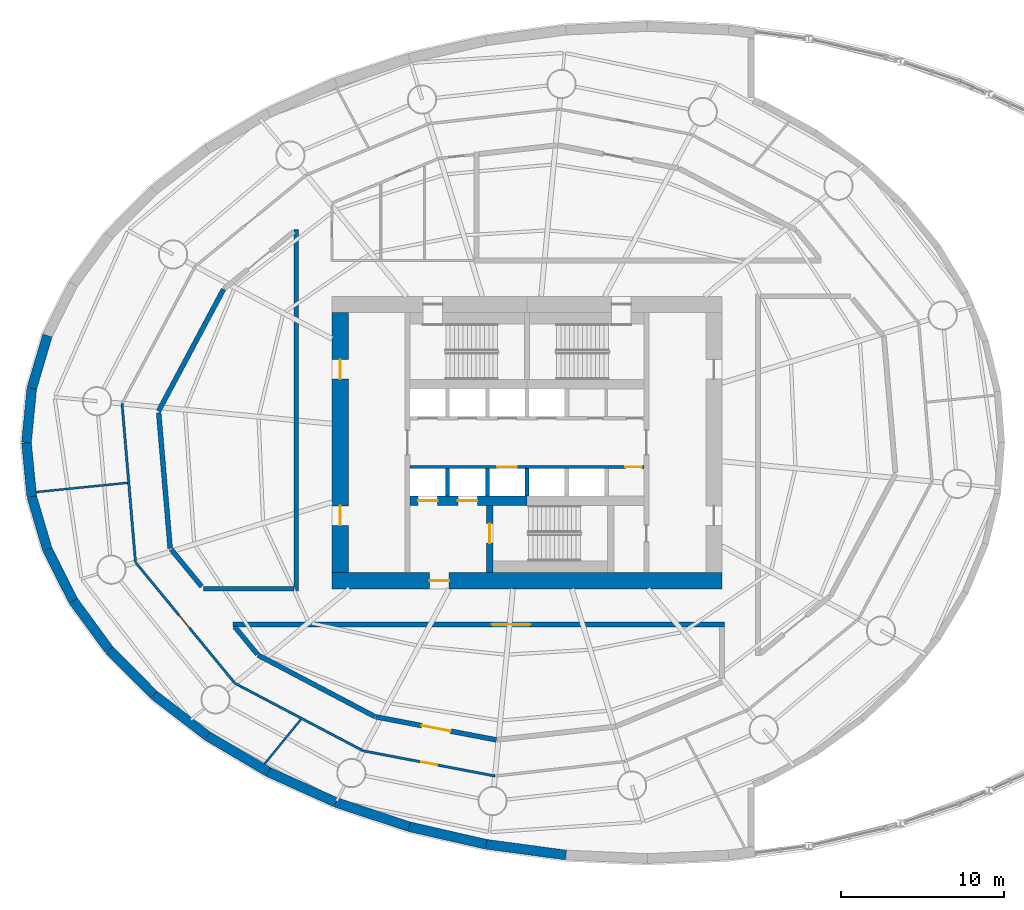
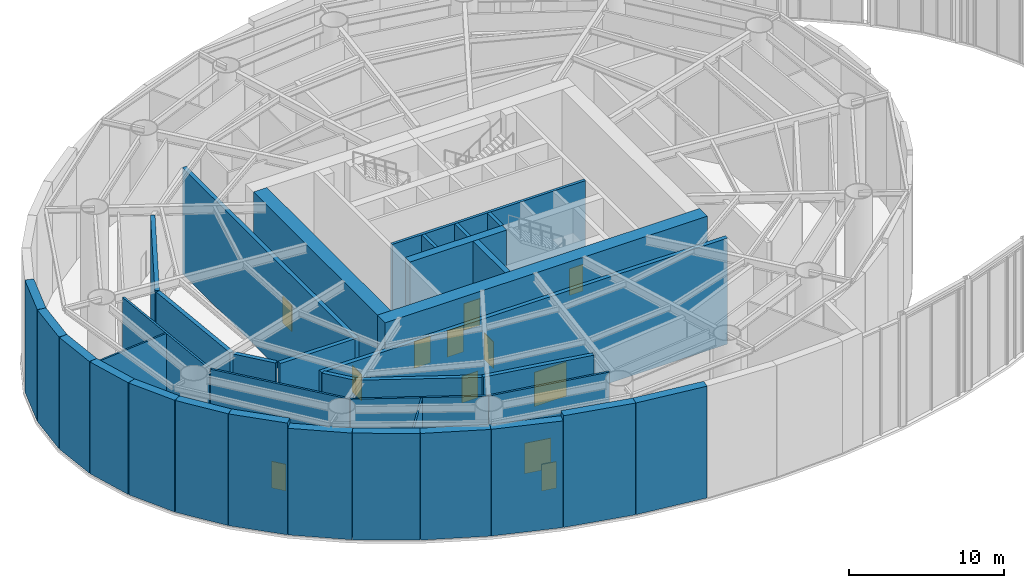
# One storey, part 14 of 19: 36 walls, 12 doors, 12 openings.
"""IFC4 building model written with IfcOpenShell, lengths in metres."""

from ifc_helpers import new_model, si_unit, direction, frame, frame_2d, origin, place, context, subcontext, project, spatial, rectangle, extrude, material, layer, layer_set, type_object, element, fill, save


model = new_model("IFC4")

# Units and contexts
model_context = context("Model", 3, precision=1e-05, world=origin(), true_north=direction((0.0, 1.0)))
body_context = subcontext(model_context, "Body", "Model", "MODEL_VIEW")
ifc_project = project(units=[si_unit("LENGTHUNIT", "METRE"), si_unit("AREAUNIT", "SQUARE_METRE"), si_unit("VOLUMEUNIT", "CUBIC_METRE"), si_unit("PLANEANGLEUNIT", "RADIAN"), si_unit("MASSUNIT", "GRAM", prefix="KILO")], contexts=[model_context])

# Site, building, storey
site_placement = place(None, origin())
site = spatial("IfcSite", under=ifc_project, at=site_placement, CompositionType="ELEMENT")
building_placement = place(site_placement, origin())
building = spatial("IfcBuilding", under=site, at=building_placement, Name="Vermilion Reach Broadcast Tower", CompositionType="ELEMENT")
storey_placement = place(building_placement, frame((0.0, 0.0, 17.0)))
storey = spatial("IfcBuildingStorey", under=building, at=storey_placement, Name="L02", CompositionType="ELEMENT", Elevation=17.0)

# Wall, opening, door
ifc_material_1 = material(Name="Concrete C70", Category="concrete")
ifc_layer_1 = layer(ifc_material_1, 0.39990234375)
ifc_layer_set_1 = layer_set([ifc_layer_1], Name="Core inner wall 400 mm Concrete C70")
wall_type_1 = type_object("IfcWallType", Name="Core inner wall 400 mm Concrete C70", PredefinedType="SHEAR", material=ifc_layer_set_1)
wall_1_placement = place(storey_placement, frame((-8.300048828125, -3.8798828125, 0.0), z_axis=(0.0, 0.0, 1.0), x_axis=(0.0, -1.0, 0.0)))
wall_1 = element("IfcWall", 1, at=wall_1_placement, inside=storey, type_object=wall_type_1, Name="L02 core wall wa", PredefinedType="SHEAR", context=body_context, shape_type="SweptSolid", body=[
    extrude(rectangle(XDim=4.1201171875, YDim=0.39990234375, at=frame_2d((2.06005859375, 0.0))), origin(), (0.0, 0.0, 1.0), 8.699951171875),
])
opening_1_placement = place(wall_1_placement, frame((1.110107421875, 0.0, 0.0)))
opening_1 = element("IfcOpeningElement", 2, at=opening_1_placement, cuts=wall_1, Name="Opening D01", PredefinedType="OPENING", context=body_context, shape_type="SweptSolid", body=[
    extrude(rectangle(XDim=1.199951171875, YDim=2.10009765625, at=frame_2d((0.60009765625, 1.050048828125))), frame((0.0, 0.2099609375, 0.0), z_axis=(0.0, -1.0, 0.0), x_axis=(1.0, 0.0, 0.0)), (0.0, 0.0, 1.0), 0.419921875),
])
ifc_material_2 = material(Name="Painted steel fire door", Category="steel")
door_type_1 = type_object("IfcDoorType", Name="Stair door 1200 x 2100", OperationType="DOUBLE_DOOR_SINGLE_SWING", PredefinedType="NOTDEFINED", material=ifc_material_2)
door_1_placement = place(opening_1_placement, origin())
door_1 = element("IfcDoor", 3, at=door_1_placement, inside=storey, type_object=door_type_1, Name="L02 stair door ST3", OperationType="DOUBLE_DOOR_SINGLE_SWING", OverallHeight=2.10009765625, OverallWidth=1.199951171875, PredefinedType="NOTDEFINED", context=body_context, shape_type="SweptSolid", body=[
    extrude(rectangle(XDim=1.199951171875, YDim=2.10009765625, at=frame_2d((0.60009765625, 1.050048828125))), frame((0.0, 0.02490234375, 0.0), z_axis=(0.0, -1.0, 0.0), x_axis=(1.0, 0.0, 0.0)), (0.0, 0.0, 1.0), 0.050048828125),
])
fill(opening_1, door_1)

# Wall, openings, doors
ifc_material_3 = material(Name="Concrete C70", Category="concrete")
ifc_layer_2 = layer(ifc_material_3, 0.60009765625)
ifc_layer_set_2 = layer_set([ifc_layer_2], Name="Core inner wall 600 mm Concrete C70")
wall_type_2 = type_object("IfcWallType", Name="Core inner wall 600 mm Concrete C70", PredefinedType="SHEAR", material=ifc_layer_set_2)
wall_2_placement = place(storey_placement, frame((-13.199951171875, -3.580078125, 0.0), z_axis=(0.0, 0.0, 1.0), x_axis=(1.0, 0.0, 0.0)))
wall_2 = element("IfcWall", 4, at=wall_2_placement, inside=storey, type_object=wall_type_2, Name="L02 core wall wisW", PredefinedType="SHEAR", context=body_context, shape_type="SweptSolid", body=[
    extrude(rectangle(XDim=7.199951171875, YDim=0.60009765625, at=frame_2d((3.60009765625, 0.0))), origin(), (0.0, 0.0, 1.0), 8.699951171875),
])
opening_2_placement = place(wall_2_placement, frame((0.495849609375, 0.0, 0.0)))
opening_2 = element("IfcOpeningElement", 5, at=opening_2_placement, cuts=wall_2, Name="Opening LD1", PredefinedType="OPENING", context=body_context, shape_type="SweptSolid", body=[
    extrude(rectangle(XDim=1.199951171875, YDim=2.10009765625, at=frame_2d((0.60009765625, 1.050048828125))), frame((0.0, 0.31005859375, 0.0), z_axis=(0.0, -1.0, 0.0), x_axis=(1.0, 0.0, 0.0)), (0.0, 0.0, 1.0), 0.6201171875),
])
opening_3_placement = place(wall_2_placement, frame((2.9375, 0.0, 0.0)))
opening_3 = element("IfcOpeningElement", 6, at=opening_3_placement, cuts=wall_2, Name="Opening LD1", PredefinedType="OPENING", context=body_context, shape_type="SweptSolid", body=[
    extrude(rectangle(XDim=1.199951171875, YDim=2.10009765625, at=frame_2d((0.60009765625, 1.050048828125))), frame((0.0, 0.31005859375, 0.0), z_axis=(0.0, -1.0, 0.0), x_axis=(1.0, 0.0, 0.0)), (0.0, 0.0, 1.0), 0.6201171875),
])
ifc_material_4 = material(Name="Stainless steel", Category="steel")
door_type_2 = type_object("IfcDoorType", Name="Landing door 1200 x 2100", OperationType="DOUBLE_DOOR_SLIDING", PredefinedType="NOTDEFINED", material=ifc_material_4)
door_2_placement = place(opening_2_placement, origin())
door_2 = element("IfcDoor", 7, at=door_2_placement, inside=storey, type_object=door_type_2, Name="L02 landing door FF1", OperationType="DOUBLE_DOOR_SLIDING", OverallHeight=2.10009765625, OverallWidth=1.199951171875, PredefinedType="NOTDEFINED", context=body_context, shape_type="SweptSolid", body=[
    extrude(rectangle(XDim=1.199951171875, YDim=2.10009765625, at=frame_2d((0.60009765625, 1.050048828125))), frame((0.0, 0.02490234375, 0.0), z_axis=(0.0, -1.0, 0.0), x_axis=(1.0, 0.0, 0.0)), (0.0, 0.0, 1.0), 0.050048828125),
])
fill(opening_2, door_2)
door_3_placement = place(opening_3_placement, origin())
door_3 = element("IfcDoor", 8, at=door_3_placement, inside=storey, type_object=door_type_2, Name="L02 landing door FF2", OperationType="DOUBLE_DOOR_SLIDING", OverallHeight=2.10009765625, OverallWidth=1.199951171875, PredefinedType="NOTDEFINED", context=body_context, shape_type="SweptSolid", body=[
    extrude(rectangle(XDim=1.199951171875, YDim=2.10009765625, at=frame_2d((0.60009765625, 1.050048828125))), frame((0.0, 0.02490234375, 0.0), z_axis=(0.0, -1.0, 0.0), x_axis=(1.0, 0.0, 0.0)), (0.0, 0.0, 1.0), 0.050048828125),
])
fill(opening_3, door_3)

# Wall, opening, door
ifc_material_5 = material(Name="Concrete C70", Category="concrete")
ifc_layer_3 = layer(ifc_material_5, 1.0)
ifc_layer_set_3 = layer_set([ifc_layer_3], Name="Core outer wall 1000 mm Concrete C70")
wall_type_3 = type_object("IfcWallType", Name="Core outer wall 1000 mm Concrete C70", PredefinedType="SHEAR", material=ifc_layer_set_3)
wall_3_placement = place(storey_placement, frame((-18.0, -8.5, 0.0), z_axis=(0.0, 0.0, 1.0), x_axis=(1.0, 0.0, 0.0)))
wall_3 = element("IfcWall", 9, at=wall_3_placement, inside=storey, type_object=wall_type_3, Name="L02 core wall os", PredefinedType="SHEAR", context=body_context, shape_type="SweptSolid", body=[
    extrude(rectangle(XDim=24.0, YDim=1.0, at=frame_2d((12.0, 0.0))), origin(), (0.0, 0.0, 1.0), 8.699951171875),
])
opening_4_placement = place(wall_3_placement, frame((6.0, 0.0, 0.0)))
opening_4 = element("IfcOpeningElement", 10, at=opening_4_placement, cuts=wall_3, Name="Opening D02", PredefinedType="OPENING", context=body_context, shape_type="SweptSolid", body=[
    extrude(rectangle(XDim=1.199951171875, YDim=2.10009765625, at=frame_2d((0.60009765625, 1.050048828125))), frame((0.0, 0.510009765625, 0.0), z_axis=(0.0, -1.0, 0.0), x_axis=(1.0, 0.0, 0.0)), (0.0, 0.0, 1.0), 1.02001953125),
])
ifc_material_6 = material(Name="Painted steel fire door", Category="steel")
door_type_3 = type_object("IfcDoorType", Name="Firefighting lobby door 1200 x 2100", OperationType="DOUBLE_DOOR_SINGLE_SWING", PredefinedType="NOTDEFINED", material=ifc_material_6)
door_4_placement = place(opening_4_placement, origin())
door_4 = element("IfcDoor", 11, at=door_4_placement, inside=storey, type_object=door_type_3, Name="L02 ffdoor door FFL", OperationType="DOUBLE_DOOR_SINGLE_SWING", OverallHeight=2.10009765625, OverallWidth=1.199951171875, PredefinedType="NOTDEFINED", context=body_context, shape_type="SweptSolid", body=[
    extrude(rectangle(XDim=1.199951171875, YDim=2.10009765625, at=frame_2d((0.60009765625, 1.050048828125))), frame((0.0, 0.02490234375, 0.0), z_axis=(0.0, -1.0, 0.0), x_axis=(1.0, 0.0, 0.0)), (0.0, 0.0, 1.0), 0.050048828125),
])
fill(opening_4, door_4)

# Wall, openings, doors
wall_4_placement = place(storey_placement, frame((-17.5, 8.0, 0.0), z_axis=(0.0, 0.0, 1.0), x_axis=(0.0, -1.0, 0.0)))
wall_4 = element("IfcWall", 12, at=wall_4_placement, inside=storey, type_object=wall_type_3, Name="L02 core wall ow", PredefinedType="SHEAR", context=body_context, shape_type="SweptSolid", body=[
    extrude(rectangle(XDim=16.0, YDim=1.0, at=frame_2d((8.0, 0.0))), origin(), (0.0, 0.0, 1.0), 8.699951171875),
])
opening_5_placement = place(wall_4_placement, frame((11.89990234375, 0.0, 0.0)))
opening_5 = element("IfcOpeningElement", 13, at=opening_5_placement, cuts=wall_4, Name="Opening D03", PredefinedType="OPENING", context=body_context, shape_type="SweptSolid", body=[
    extrude(rectangle(XDim=1.199951171875, YDim=2.10009765625, at=frame_2d((0.60009765625, 1.050048828125))), frame((0.0, 0.510009765625, 0.0), z_axis=(0.0, -1.0, 0.0), x_axis=(1.0, 0.0, 0.0)), (0.0, 0.0, 1.0), 1.02001953125),
])
opening_6_placement = place(wall_4_placement, frame((2.89990234375, 0.0, 0.0)))
opening_6 = element("IfcOpeningElement", 14, at=opening_6_placement, cuts=wall_4, Name="Opening D03", PredefinedType="OPENING", context=body_context, shape_type="SweptSolid", body=[
    extrude(rectangle(XDim=1.199951171875, YDim=2.10009765625, at=frame_2d((0.60009765625, 1.050048828125))), frame((0.0, 0.510009765625, 0.0), z_axis=(0.0, -1.0, 0.0), x_axis=(1.0, 0.0, 0.0)), (0.0, 0.0, 1.0), 1.02001953125),
])
ifc_material_7 = material(Name="Painted steel fire door", Category="steel")
door_type_4 = type_object("IfcDoorType", Name="Core lobby door 1200 x 2100", OperationType="DOUBLE_DOOR_SINGLE_SWING", PredefinedType="NOTDEFINED", material=ifc_material_7)
door_5_placement = place(opening_5_placement, origin())
door_5 = element("IfcDoor", 15, at=door_5_placement, inside=storey, type_object=door_type_4, Name="L02 slot door W0", OperationType="DOUBLE_DOOR_SINGLE_SWING", OverallHeight=2.10009765625, OverallWidth=1.199951171875, PredefinedType="NOTDEFINED", context=body_context, shape_type="SweptSolid", body=[
    extrude(rectangle(XDim=1.199951171875, YDim=2.10009765625, at=frame_2d((0.60009765625, 1.050048828125))), frame((0.0, 0.02490234375, 0.0), z_axis=(0.0, -1.0, 0.0), x_axis=(1.0, 0.0, 0.0)), (0.0, 0.0, 1.0), 0.050048828125),
])
fill(opening_5, door_5)
door_6_placement = place(opening_6_placement, origin())
door_6 = element("IfcDoor", 16, at=door_6_placement, inside=storey, type_object=door_type_4, Name="L02 slot door W1", OperationType="DOUBLE_DOOR_SINGLE_SWING", OverallHeight=2.10009765625, OverallWidth=1.199951171875, PredefinedType="NOTDEFINED", context=body_context, shape_type="SweptSolid", body=[
    extrude(rectangle(XDim=1.199951171875, YDim=2.10009765625, at=frame_2d((0.60009765625, 1.050048828125))), frame((0.0, 0.02490234375, 0.0), z_axis=(0.0, -1.0, 0.0), x_axis=(1.0, 0.0, 0.0)), (0.0, 0.0, 1.0), 0.050048828125),
])
fill(opening_6, door_6)

ifc_material_8 = material(Name="Concrete C50", Category="concrete")
ifc_layer_4 = layer(ifc_material_8, 0.199951171875)
ifc_layer_set_4 = layer_set([ifc_layer_4], Name="Core shaft wall 200 mm Concrete C50")
wall_type_4 = type_object("IfcWallType", Name="Core shaft wall 200 mm Concrete C50", PredefinedType="SHEAR", material=ifc_layer_set_4)
wall_5_placement = place(storey_placement, frame((1.199951171875, -1.5, 0.0), z_axis=(0.0, 0.0, 1.0), x_axis=(-1.0, 0.0, 0.0)))
wall_5 = element("IfcWall", 17, at=wall_5_placement, inside=storey, type_object=wall_type_4, Name="L02 core wall fs", PredefinedType="SHEAR", context=body_context, shape_type="SweptSolid", body=[
    extrude(rectangle(XDim=14.39990234375, YDim=0.199951171875, at=frame_2d((7.199951171875, 0.0))), origin(), (0.0, 0.0, 1.0), 8.699951171875),
])
opening_7_placement = place(wall_5_placement, frame((7.82080078125, 0.0, 0.0)))
opening_7 = element("IfcOpeningElement", 18, at=opening_7_placement, cuts=wall_5, Name="Opening LD1", PredefinedType="OPENING", context=body_context, shape_type="SweptSolid", body=[
    extrude(rectangle(XDim=1.199951171875, YDim=2.10009765625, at=frame_2d((0.60009765625, 1.050048828125))), frame((0.0, 0.10986328125, 0.0), z_axis=(0.0, -1.0, 0.0), x_axis=(1.0, 0.0, 0.0)), (0.0, 0.0, 1.0), 0.219970703125),
])
opening_8_placement = place(wall_5_placement, frame((0.14990234375, 0.0, 0.0)))
opening_8 = element("IfcOpeningElement", 19, at=opening_8_placement, cuts=wall_5, Name="Opening D07", PredefinedType="OPENING", context=body_context, shape_type="SweptSolid", body=[
    extrude(rectangle(XDim=1.0, YDim=2.10009765625, at=frame_2d((0.5, 1.050048828125))), frame((0.0, 0.10986328125, 0.0), z_axis=(0.0, -1.0, 0.0), x_axis=(1.0, 0.0, 0.0)), (0.0, 0.0, 1.0), 0.219970703125),
])
ifc_material_9 = material(Name="Timber door", Category="wood")
door_type_5 = type_object("IfcDoorType", Name="Accessible WC door 1000 x 2100", OperationType="NOTDEFINED", PredefinedType="NOTDEFINED", material=ifc_material_9)
door_7_placement = place(opening_8_placement, origin())
door_7 = element("IfcDoor", 20, at=door_7_placement, inside=storey, type_object=door_type_5, Name="L02 door Accessible WC", OperationType="SINGLE_SWING_LEFT", OverallHeight=2.10009765625, OverallWidth=1.0, PredefinedType="NOTDEFINED", context=body_context, shape_type="SweptSolid", body=[
    extrude(rectangle(XDim=1.0, YDim=2.10009765625, at=frame_2d((0.5, 1.050048828125))), frame((0.0, 0.02490234375, 0.0), z_axis=(0.0, -1.0, 0.0), x_axis=(1.0, 0.0, 0.0)), (0.0, 0.0, 1.0), 0.050048828125),
])
fill(opening_8, door_7)
door_8_placement = place(opening_7_placement, origin())
door_8 = element("IfcDoor", 21, at=door_8_placement, inside=storey, type_object=door_type_2, Name="L02 landing door SV1", OperationType="DOUBLE_DOOR_SLIDING", OverallHeight=2.10009765625, OverallWidth=1.199951171875, PredefinedType="NOTDEFINED", context=body_context, shape_type="SweptSolid", body=[
    extrude(rectangle(XDim=1.199951171875, YDim=2.10009765625, at=frame_2d((0.60009765625, 1.050048828125))), frame((0.0, 0.02490234375, 0.0), z_axis=(0.0, -1.0, 0.0), x_axis=(1.0, 0.0, 0.0)), (0.0, 0.0, 1.0), 0.050048828125),
])
fill(opening_7, door_8)

# Walls
ifc_material_10 = material(Name="Concrete C50", Category="concrete")
ifc_layer_5 = layer(ifc_material_10, 0.25)
ifc_layer_set_5 = layer_set([ifc_layer_5], Name="Core shaft wall 250 mm Concrete C50")
wall_type_5 = type_object("IfcWallType", Name="Core shaft wall 250 mm Concrete C50", PredefinedType="SHEAR", material=ifc_layer_set_5)
for number, where, z_axis, x_axis, name in (
    (22, (-10.88330078125, -1.60009765625, 0.0), (0.0, 0.0, 1.0), (0.0, -1.0, 0.0), "L02 core wall psS0"),
    (23, (-8.441650390625, -1.60009765625, 0.0), (0.0, 0.0, 1.0), (0.0, -1.0, 0.0), "L02 core wall psS1"),
    (24, (-6.0, -1.60009765625, 0.0), (0.0, 0.0, 1.0), (0.0, -1.0, 0.0), "L02 core wall psS2"),
):
    element("IfcWall", number, at=place(storey_placement, frame(where, z_axis=z_axis, x_axis=x_axis)), inside=storey, type_object=wall_type_5, Name=name, PredefinedType="SHEAR", context=body_context, shape_type="SweptSolid", body=[
        extrude(rectangle(XDim=1.679931640625, YDim=0.25, at=frame_2d((0.83984375, 0.0))), origin(), (0.0, 0.0, 1.0), 8.699951171875),
    ])
ifc_material_11 = material(Name="Gypsum board partition")
ifc_layer_6 = layer(ifc_material_11, 0.14990234375)
ifc_layer_set_6 = layer_set([ifc_layer_6], Name="Corridor wall 150")
wall_type_6 = type_object("IfcWallType", Name="Corridor wall 150", PredefinedType="PARTITIONING", material=ifc_layer_set_6)
wall_6_placement = place(storey_placement, frame((-30.921142578125, 2.395263671875, 0.0), z_axis=(0.0, 0.0, 1.0), x_axis=(0.084469905026, -0.996426030945, 0.0)))
element("IfcWall", 25, at=wall_6_placement, inside=storey, type_object=wall_type_6, Name="sp.wall.L02.045", PredefinedType="PARTITIONING", context=body_context, shape_type="SweptSolid", body=[
    extrude(rectangle(XDim=9.80078125, YDim=0.14990234375, at=frame_2d((4.900390625, 0.0))), origin(), (0.0, 0.0, 1.0), 8.35009765625),
])

# Wall, opening, door
wall_7_placement = place(storey_placement, frame((-30.060302734375, -7.41064453125, 0.0), z_axis=(0.0, 0.0, 1.0), x_axis=(0.63502168635, -0.772494309277, 0.0)))
wall_7 = element("IfcWall", 26, at=wall_7_placement, inside=storey, type_object=wall_type_6, Name="sp.wall.L02.046", PredefinedType="PARTITIONING", context=body_context, shape_type="SweptSolid", body=[
    extrude(rectangle(XDim=9.590087890625, YDim=0.14990234375, at=frame_2d((4.794921875, 0.0))), origin(), (0.0, 0.0, 1.0), 8.35009765625),
])
opening_9_placement = place(wall_7_placement, frame((4.16796875, 0.0, 0.0)))
opening_9 = element("IfcOpeningElement", 27, at=opening_9_placement, cuts=wall_7, Name="Opening D50", PredefinedType="OPENING", context=body_context, shape_type="SweptSolid", body=[
    extrude(rectangle(XDim=1.0, YDim=2.10009765625, at=frame_2d((0.5, 1.050048828125))), frame((0.0, 0.0849609375, 0.0), z_axis=(0.0, -1.0, 0.0), x_axis=(1.0, 0.0, 0.0)), (0.0, 0.0, 1.0), 0.169921875),
])
ifc_material_12 = material(Name="Timber and steel door set", Category="steel")
door_type_6 = type_object("IfcDoorType", Name="Door 1000x2100", OperationType="NOTDEFINED", PredefinedType="DOOR", material=ifc_material_12)
door_9_placement = place(opening_9_placement, origin())
door_9 = element("IfcDoor", 28, at=door_9_placement, inside=storey, type_object=door_type_6, Name="sp.door.L02.010", OperationType="SINGLE_SWING_RIGHT", OverallHeight=2.10009765625, OverallWidth=1.0, PredefinedType="DOOR", context=body_context, shape_type="SweptSolid", body=[
    extrude(rectangle(XDim=1.0, YDim=2.10009765625, at=frame_2d((0.5, 1.050048828125))), frame((0.0, 0.02490234375, 0.0), z_axis=(0.0, -1.0, 0.0), x_axis=(1.0, 0.0, 0.0)), (0.0, 0.0, 1.0), 0.050048828125),
])
fill(opening_9, door_9)

# Wall
wall_8_placement = place(storey_placement, frame((-23.9423828125, -14.83349609375, 0.0), z_axis=(0.0, 0.0, 1.0), x_axis=(0.884920607371, -0.465741901326, 0.0)))
element("IfcWall", 29, at=wall_8_placement, inside=storey, type_object=wall_type_6, Name="sp.wall.L02.047", PredefinedType="PARTITIONING", context=body_context, shape_type="SweptSolid", body=[
    extrude(rectangle(XDim=8.882080078125, YDim=0.14990234375, at=frame_2d((4.44091796875, 0.0))), origin(), (0.0, 0.0, 1.0), 8.35009765625),
])

# Wall, opening, door
wall_9_placement = place(storey_placement, frame((-16.06005859375, -18.974609375, 0.0), z_axis=(0.0, 0.0, 1.0), x_axis=(0.982207009241, -0.187801466976, 0.0)))
wall_9 = element("IfcWall", 30, at=wall_9_placement, inside=storey, type_object=wall_type_6, Name="sp.wall.L02.048", PredefinedType="PARTITIONING", context=body_context, shape_type="SweptSolid", body=[
    extrude(rectangle(XDim=8.234130859375, YDim=0.14990234375, at=frame_2d((4.1171875, 0.0))), origin(), (0.0, 0.0, 1.0), 8.35009765625),
])
opening_10_placement = place(wall_9_placement, frame((3.6171875, 0.0, 0.0)))
opening_10 = element("IfcOpeningElement", 31, at=opening_10_placement, cuts=wall_9, Name="Opening D50", PredefinedType="OPENING", context=body_context, shape_type="SweptSolid", body=[
    extrude(rectangle(XDim=1.0, YDim=2.10009765625, at=frame_2d((0.5, 1.050048828125))), frame((0.0, 0.0849609375, 0.0), z_axis=(0.0, -1.0, 0.0), x_axis=(1.0, 0.0, 0.0)), (0.0, 0.0, 1.0), 0.169921875),
])
door_10_placement = place(opening_10_placement, origin())
door_10 = element("IfcDoor", 32, at=door_10_placement, inside=storey, type_object=door_type_6, Name="sp.door.L02.011", OperationType="SINGLE_SWING_LEFT", OverallHeight=2.10009765625, OverallWidth=1.0, PredefinedType="DOOR", context=body_context, shape_type="SweptSolid", body=[
    extrude(rectangle(XDim=1.0, YDim=2.10009765625, at=frame_2d((0.5, 1.050048828125))), frame((0.0, 0.02490234375, 0.0), z_axis=(0.0, -1.0, 0.0), x_axis=(1.0, 0.0, 0.0)), (0.0, 0.0, 1.0), 0.050048828125),
])
fill(opening_10, door_10)

# Walls
ifc_material_13 = material(Name="Gypsum board partition")
ifc_layer_7 = layer(ifc_material_13, 0.125)
ifc_layer_set_7 = layer_set([ifc_layer_7], Name="Partition 125 plasterboard")
wall_type_7 = type_object("IfcWallType", Name="Partition 125 plasterboard", PredefinedType="PARTITIONING", material=ifc_layer_set_7)
wall_10_placement = place(storey_placement, frame((-22.15625, -19.78125, 0.0), z_axis=(0.0, 0.0, 1.0), x_axis=(0.63256707517, 0.774505581266, 0.0)))
element("IfcWall", 33, at=wall_10_placement, inside=storey, type_object=wall_type_7, Name="sp.wall.L02.031", PredefinedType="PARTITIONING", context=body_context, shape_type="SweptSolid", body=[
    extrude(rectangle(XDim=3.529541015625, YDim=0.125, at=frame_2d((1.7646484375, 0.0))), origin(), (0.0, 0.0, 1.0), 8.35009765625),
])
wall_11_placement = place(storey_placement, frame((-36.203369140625, -3.046630859375, 0.0), z_axis=(0.0, 0.0, 1.0), x_axis=(0.994949493914, 0.100376812864, 0.0)))
element("IfcWall", 34, at=wall_11_placement, inside=storey, type_object=wall_type_7, Name="sp.wall.L02.033", PredefinedType="PARTITIONING", context=body_context, shape_type="SweptSolid", body=[
    extrude(rectangle(XDim=5.647705078125, YDim=0.125, at=frame_2d((2.82373046875, 0.0))), origin(), (0.0, 0.0, 1.0), 8.35009765625),
])
ifc_material_14 = material(Name="Precast concrete C40/50 with acoustic cladding", Category="concrete")
ifc_layer_8 = layer(ifc_material_14, 0.60009765625)
ifc_layer_set_8 = layer_set([ifc_layer_8], Name="Podium acoustic wall 600")
wall_type_8 = type_object("IfcWallType", Name="Podium acoustic wall 600", PredefinedType="SOLIDWALL", material=ifc_layer_set_8)
wall_12_placement = place(storey_placement, frame((-35.51318359375, 6.58154296875, 0.0), z_axis=(0.0, 0.0, 1.0), x_axis=(-0.283226206308, -0.95905313516, 0.0)))
element("IfcWall", 35, at=wall_12_placement, inside=storey, type_object=wall_type_8, Name="Podium wall L02 str12", PredefinedType="SOLIDWALL", context=body_context, shape_type="SweptSolid", body=[
    extrude(rectangle(XDim=3.404052734375, YDim=0.60009765625, at=frame_2d((1.7021484375, 0.0))), origin(), (0.0, 0.0, 1.0), 8.800048828125),
])
for number, where, z_axis, x_axis, name in (
    (36, (-36.477294921875, 3.31689453125, 0.0), (0.0, 0.0, 1.0), (-0.096848626537, -0.995299122645, 0.0), "Podium wall L02 str13"),
    (37, (-36.800048828125, 0.0, 0.0), (0.0, 0.0, 1.0), (0.096848626537, -0.995299122645, 0.0), "Podium wall L02 str14"),
):
    element("IfcWall", number, at=place(storey_placement, frame(where, z_axis=z_axis, x_axis=x_axis)), inside=storey, type_object=wall_type_8, Name=name, PredefinedType="SOLIDWALL", context=body_context, shape_type="SweptSolid", body=[
        extrude(rectangle(XDim=3.33251953125, YDim=0.60009765625, at=frame_2d((1.666259765625, 0.0))), origin(), (0.0, 0.0, 1.0), 8.800048828125),
    ])
wall_13_placement = place(storey_placement, frame((-36.477294921875, -3.31689453125, 0.0), z_axis=(0.0, 0.0, 1.0), x_axis=(0.283226206308, -0.95905313516, 0.0)))
element("IfcWall", 38, at=wall_13_placement, inside=storey, type_object=wall_type_8, Name="Podium wall L02 str15", PredefinedType="SOLIDWALL", context=body_context, shape_type="SweptSolid", body=[
    extrude(rectangle(XDim=3.404052734375, YDim=0.60009765625, at=frame_2d((1.7021484375, 0.0))), origin(), (0.0, 0.0, 1.0), 8.800048828125),
])
wall_14_placement = place(storey_placement, frame((-35.51318359375, -6.58154296875, 0.0), z_axis=(0.0, 0.0, 1.0), x_axis=(0.450137579264, -0.892959215045, 0.0)))
element("IfcWall", 39, at=wall_14_placement, inside=storey, type_object=wall_type_8, Name="Podium wall L02 str16", PredefinedType="SOLIDWALL", context=body_context, shape_type="SweptSolid", body=[
    extrude(rectangle(XDim=3.537353515625, YDim=0.60009765625, at=frame_2d((1.7685546875, 0.0))), origin(), (0.0, 0.0, 1.0), 8.800048828125),
])
wall_15_placement = place(storey_placement, frame((-33.9208984375, -9.740234375, 0.0), z_axis=(0.0, 0.0, 1.0), x_axis=(0.59073426953, -0.806866174035, 0.0)))
element("IfcWall", 40, at=wall_15_placement, inside=storey, type_object=wall_type_8, Name="Podium wall L02 str17", PredefinedType="SOLIDWALL", context=body_context, shape_type="SweptSolid", body=[
    extrude(rectangle(XDim=3.717529296875, YDim=0.60009765625, at=frame_2d((1.85888671875, 0.0))), origin(), (0.0, 0.0, 1.0), 8.800048828125),
])
wall_16_placement = place(storey_placement, frame((-31.724853515625, -12.73974609375, 0.0), z_axis=(0.0, 0.0, 1.0), x_axis=(0.704303183564, -0.709899306678, 0.0)))
element("IfcWall", 41, at=wall_16_placement, inside=storey, type_object=wall_type_8, Name="Podium wall L02 str18", PredefinedType="SOLIDWALL", context=body_context, shape_type="SweptSolid", body=[
    extrude(rectangle(XDim=3.926513671875, YDim=0.60009765625, at=frame_2d((1.96337890625, 0.0))), origin(), (0.0, 0.0, 1.0), 8.800048828125),
])
wall_17_placement = place(storey_placement, frame((-13.26416015625, -23.635498046875, 0.0), z_axis=(0.0, 0.0, 1.0), x_axis=(0.97483982486, -0.222906518224, 0.0)))
element("IfcWall", 42, at=wall_17_placement, inside=storey, type_object=wall_type_8, Name="Podium wall L02 str23", PredefinedType="SOLIDWALL", context=body_context, shape_type="SweptSolid", body=[
    extrude(rectangle(XDim=4.867431640625, YDim=0.60009765625, at=frame_2d((2.43359375, 0.0))), origin(), (0.0, 0.0, 1.0), 8.800048828125),
])
wall_18_placement = place(storey_placement, frame((-8.519287109375, -24.720458984375, 0.0), z_axis=(0.0, 0.0, 1.0), x_axis=(0.991143444913, -0.132795600853, 0.0)))
element("IfcWall", 43, at=wall_18_placement, inside=storey, type_object=wall_type_8, Name="Podium wall L02 str24", PredefinedType="SOLIDWALL", context=body_context, shape_type="SweptSolid", body=[
    extrude(rectangle(XDim=4.960205078125, YDim=0.60009765625, at=frame_2d((2.47998046875, 0.0))), origin(), (0.0, 0.0, 1.0), 8.800048828125),
])
ifc_material_15 = material(Name="Precast concrete C40/50 with acoustic cladding", Category="concrete")
ifc_layer_9 = layer(ifc_material_15, 0.60009765625)
ifc_layer_set_9 = layer_set([ifc_layer_9], Name="Podium acoustic wall 600, head 400 below soffit")
wall_type_9 = type_object("IfcWallType", Name="Podium acoustic wall 600, head 400 below soffit", PredefinedType="SOLIDWALL", material=ifc_layer_set_9)
wall_19_placement = place(storey_placement, frame((-28.95947265625, -15.527099609375, 0.0), z_axis=(0.0, 0.0, 1.0), x_axis=(0.793065901338, -0.609135843745, 0.0)))
element("IfcWall", 44, at=wall_19_placement, inside=storey, type_object=wall_type_9, Name="Podium wall L02 str19", PredefinedType="SOLIDWALL", context=body_context, shape_type="SweptSolid", body=[
    extrude(rectangle(XDim=4.146728515625, YDim=0.60009765625, at=frame_2d((2.0732421875, 0.0))), origin(), (0.0, 0.0, 1.0), 8.39990234375),
])
wall_20_placement = place(storey_placement, frame((-25.6708984375, -18.052978515625, 0.0), z_axis=(0.0, 0.0, 1.0), x_axis=(0.861017868942, -0.508574703818, 0.0)))
element("IfcWall", 45, at=wall_20_placement, inside=storey, type_object=wall_type_9, Name="Podium wall L02 str20", PredefinedType="SOLIDWALL", context=body_context, shape_type="SweptSolid", body=[
    extrude(rectangle(XDim=4.36279296875, YDim=0.60009765625, at=frame_2d((2.181396484375, 0.0))), origin(), (0.0, 0.0, 1.0), 8.39990234375),
])
wall_21_placement = place(storey_placement, frame((-21.91455078125, -20.271728515625, 0.0), z_axis=(0.0, 0.0, 1.0), x_axis=(0.911894462824, -0.410424766152, 0.0)))
element("IfcWall", 46, at=wall_21_placement, inside=storey, type_object=wall_type_9, Name="Podium wall L02 str21", PredefinedType="SOLIDWALL", context=body_context, shape_type="SweptSolid", body=[
    extrude(rectangle(XDim=4.561279296875, YDim=0.60009765625, at=frame_2d((2.28076171875, 0.0))), origin(), (0.0, 0.0, 1.0), 8.39990234375),
])
wall_22_placement = place(storey_placement, frame((-17.755126953125, -22.143798828125, 0.0), z_axis=(0.0, 0.0, 1.0), x_axis=(0.94901810672, -0.315221561949, 0.0)))
element("IfcWall", 47, at=wall_22_placement, inside=storey, type_object=wall_type_9, Name="Podium wall L02 str22", PredefinedType="SOLIDWALL", context=body_context, shape_type="SweptSolid", body=[
    extrude(rectangle(XDim=4.732177734375, YDim=0.60009765625, at=frame_2d((2.3662109375, 0.0))), origin(), (0.0, 0.0, 1.0), 8.39990234375),
])
ifc_material_16 = material(Name="Gypsum board double-leaf partition")
ifc_layer_10 = layer(ifc_material_16, 0.300048828125)
ifc_layer_set_10 = layer_set([ifc_layer_10], Name="Studio acoustic wall 300")
wall_type_10 = type_object("IfcWallType", Name="Studio acoustic wall 300", PredefinedType="PARTITIONING", material=ifc_layer_set_10)
wall_23_placement = place(storey_placement, frame((-20.199951171875, -9.150146484375, 0.0), z_axis=(0.0, 0.0, 1.0), x_axis=(0.0, 1.0, 0.0)))
element("IfcWall", 48, at=wall_23_placement, inside=storey, type_object=wall_type_10, Name="sp.wall.L02.002", PredefinedType="PARTITIONING", context=body_context, shape_type="SweptSolid", body=[
    extrude(rectangle(XDim=22.255126953125, YDim=0.300048828125, at=frame_2d((11.12744140625, 0.0))), origin(), (0.0, 0.0, 1.0), 8.35009765625),
])

# Wall, opening, door
wall_24_placement = place(storey_placement, frame((-24.097412109375, -11.199951171875, 0.0), z_axis=(0.0, 0.0, 1.0), x_axis=(1.0, 0.0, 0.0)))
wall_24 = element("IfcWall", 49, at=wall_24_placement, inside=storey, type_object=wall_type_10, Name="sp.wall.L02.003", PredefinedType="PARTITIONING", context=body_context, shape_type="SweptSolid", body=[
    extrude(rectangle(XDim=30.24755859375, YDim=0.300048828125, at=frame_2d((15.123779296875, 0.0))), origin(), (0.0, 0.0, 1.0), 8.35009765625),
])
opening_11_placement = place(wall_24_placement, frame((15.922607421875, 0.0, 0.0)))
opening_11 = element("IfcOpeningElement", 50, at=opening_11_placement, cuts=wall_24, Name="Opening D58", PredefinedType="OPENING", context=body_context, shape_type="SweptSolid", body=[
    extrude(rectangle(XDim=2.39990234375, YDim=2.699951171875, at=frame_2d((1.199951171875, 1.35009765625))), frame((0.0, 0.159912109375, 0.0), z_axis=(0.0, -1.0, 0.0), x_axis=(1.0, 0.0, 0.0)), (0.0, 0.0, 1.0), 0.320068359375),
])
ifc_material_17 = material(Name="Timber and steel door set", Category="steel")
door_type_7 = type_object("IfcDoorType", Name="Scenery door 2400x2700", OperationType="NOTDEFINED", PredefinedType="DOOR", material=ifc_material_17)
door_11_placement = place(opening_11_placement, origin())
door_11 = element("IfcDoor", 51, at=door_11_placement, inside=storey, type_object=door_type_7, Name="sp.door.L02.013", OperationType="DOUBLE_DOOR_SINGLE_SWING", OverallHeight=2.699951171875, OverallWidth=2.39990234375, PredefinedType="DOOR", context=body_context, shape_type="SweptSolid", body=[
    extrude(rectangle(XDim=2.39990234375, YDim=2.699951171875, at=frame_2d((1.199951171875, 1.35009765625))), frame((0.0, 0.02490234375, 0.0), z_axis=(0.0, -1.0, 0.0), x_axis=(1.0, 0.0, 0.0)), (0.0, 0.0, 1.0), 0.050048828125),
])
fill(opening_11, door_11)

# Walls
wall_25_placement = place(storey_placement, frame((-25.90576171875, -9.0, 0.0), z_axis=(0.0, 0.0, 1.0), x_axis=(1.0, 0.0, 0.0)))
element("IfcWall", 52, at=wall_25_placement, inside=storey, type_object=wall_type_10, Name="sp.wall.L02.008", PredefinedType="PARTITIONING", context=body_context, shape_type="SweptSolid", body=[
    extrude(rectangle(XDim=5.5556640625, YDim=0.300048828125, at=frame_2d((2.77783203125, 0.0))), origin(), (0.0, 0.0, 1.0), 8.35009765625),
])
wall_26_placement = place(storey_placement, frame((-28.674072265625, 1.933349609375, 0.0), z_axis=(0.0, 0.0, 1.0), x_axis=(0.470743396375, 0.882270171076, 0.0)))
element("IfcWall", 53, at=wall_26_placement, inside=storey, type_object=wall_type_10, Name="sp.wall.L02.019", PredefinedType="PARTITIONING", context=body_context, shape_type="SweptSolid", body=[
    extrude(rectangle(XDim=8.4931640625, YDim=0.300048828125, at=frame_2d((4.24658203125, 0.0))), origin(), (0.0, 0.0, 1.0), 8.35009765625),
])
wall_27_placement = place(storey_placement, frame((-27.893310546875, -6.582275390625, 0.0), z_axis=(0.0, 0.0, 1.0), x_axis=(0.635004353448, -0.7725085573, 0.0)))
element("IfcWall", 54, at=wall_27_placement, inside=storey, type_object=wall_type_10, Name="sp.wall.L02.021", PredefinedType="PARTITIONING", context=body_context, shape_type="SweptSolid", body=[
    extrude(rectangle(XDim=2.947265625, YDim=0.300048828125, at=frame_2d((1.4736328125, 0.0))), origin(), (0.0, 0.0, 1.0), 8.35009765625),
])
wall_28_placement = place(storey_placement, frame((-23.9814453125, -11.341064453125, 0.0), z_axis=(0.0, 0.0, 1.0), x_axis=(0.635029890501, -0.772487565058, 0.0)))
element("IfcWall", 55, at=wall_28_placement, inside=storey, type_object=wall_type_10, Name="sp.wall.L02.022", PredefinedType="PARTITIONING", context=body_context, shape_type="SweptSolid", body=[
    extrude(rectangle(XDim=2.186279296875, YDim=0.300048828125, at=frame_2d((1.09326171875, 0.0))), origin(), (0.0, 0.0, 1.0), 8.35009765625),
])
wall_29_placement = place(storey_placement, frame((-28.666015625, 1.83642578125, 0.0), z_axis=(0.0, 0.0, 1.0), x_axis=(0.084484314549, -0.996424809303, 0.0)))
element("IfcWall", 56, at=wall_29_placement, inside=storey, type_object=wall_type_10, Name="sp.wall.L02.023", PredefinedType="PARTITIONING", context=body_context, shape_type="SweptSolid", body=[
    extrude(rectangle(XDim=8.368896484375, YDim=0.300048828125, at=frame_2d((4.1845703125, 0.0))), origin(), (0.0, 0.0, 1.0), 8.35009765625),
])

# Wall, opening, door
wall_30_placement = place(storey_placement, frame((-15.302734375, -16.87939453125, 0.0), z_axis=(0.0, 0.0, 1.0), x_axis=(0.982202179266, -0.18782672612, 0.0)))
wall_30 = element("IfcWall", 57, at=wall_30_placement, inside=storey, type_object=wall_type_10, Name="sp.wall.L02.024", PredefinedType="PARTITIONING", context=body_context, shape_type="SweptSolid", body=[
    extrude(rectangle(XDim=7.550537109375, YDim=0.300048828125, at=frame_2d((3.775390625, 0.0))), origin(), (0.0, 0.0, 1.0), 8.35009765625),
])
opening_12_placement = place(wall_30_placement, frame((2.875244140625, 0.0, 0.0)))
opening_12 = element("IfcOpeningElement", 58, at=opening_12_placement, cuts=wall_30, Name="Opening D52", PredefinedType="OPENING", context=body_context, shape_type="SweptSolid", body=[
    extrude(rectangle(XDim=1.800048828125, YDim=2.39990234375, at=frame_2d((0.89990234375, 1.199951171875))), frame((0.0, 0.159912109375, 0.0), z_axis=(0.0, -1.0, 0.0), x_axis=(1.0, 0.0, 0.0)), (0.0, 0.0, 1.0), 0.320068359375),
])
ifc_material_18 = material(Name="Timber and steel door set", Category="steel")
door_type_8 = type_object("IfcDoorType", Name="Studio sound lock door 1800x2400", OperationType="NOTDEFINED", PredefinedType="DOOR", material=ifc_material_18)
door_12_placement = place(opening_12_placement, origin())
door_12 = element("IfcDoor", 59, at=door_12_placement, inside=storey, type_object=door_type_8, Name="sp.door.L02.005", OperationType="DOUBLE_DOOR_SINGLE_SWING", OverallHeight=2.39990234375, OverallWidth=1.800048828125, PredefinedType="DOOR", context=body_context, shape_type="SweptSolid", body=[
    extrude(rectangle(XDim=1.800048828125, YDim=2.39990234375, at=frame_2d((0.89990234375, 1.199951171875))), frame((0.0, 0.02490234375, 0.0), z_axis=(0.0, -1.0, 0.0), x_axis=(1.0, 0.0, 0.0)), (0.0, 0.0, 1.0), 0.050048828125),
])
fill(opening_12, door_12)

# Wall
wall_31_placement = place(storey_placement, frame((-22.552734375, -13.078857421875, 0.0), z_axis=(0.0, 0.0, 1.0), x_axis=(0.884926027541, -0.46573160273, 0.0)))
element("IfcWall", 60, at=wall_31_placement, inside=storey, type_object=wall_type_10, Name="sp.wall.L02.025", PredefinedType="PARTITIONING", context=body_context, shape_type="SweptSolid", body=[
    extrude(rectangle(XDim=8.14208984375, YDim=0.300048828125, at=frame_2d((4.071044921875, 0.0))), origin(), (0.0, 0.0, 1.0), 8.35009765625),
])

save(model, "model.ifc")
